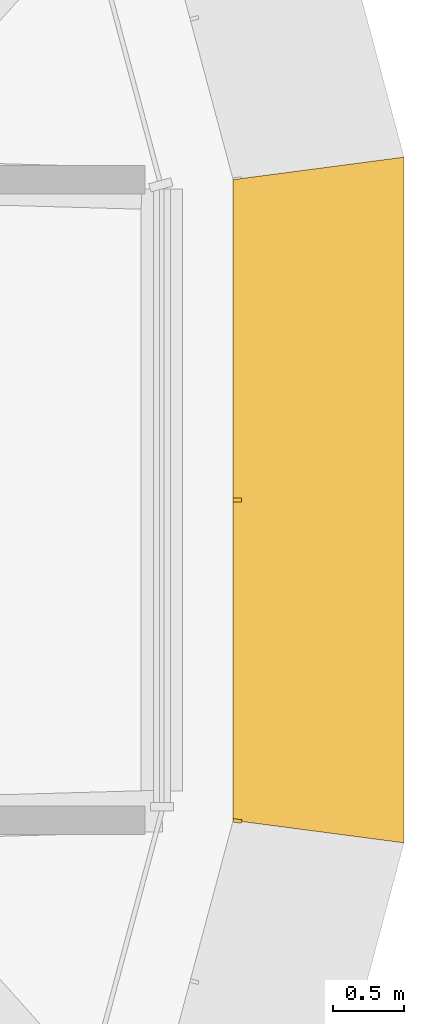
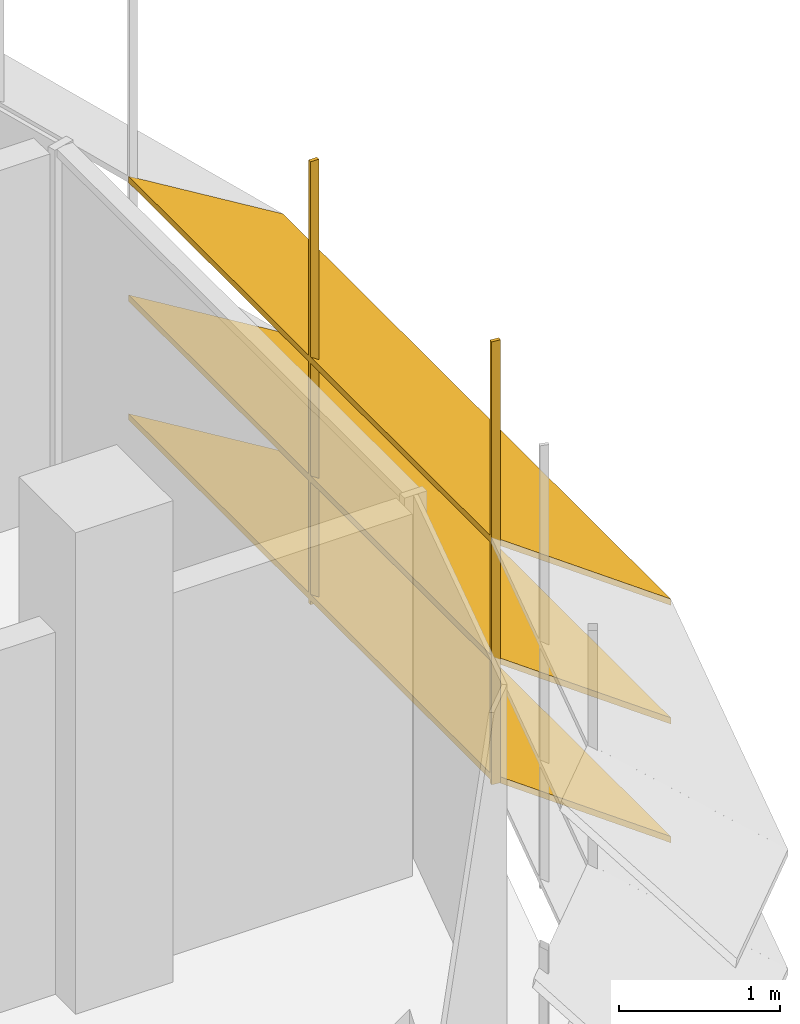
# One storey, part 19 of 19: 1 shading device.
"""IFC4 building model written with IfcOpenShell, lengths in metres."""

from ifc_helpers import new_model, si_unit, direction, frame, origin, place, context, subcontext, project, spatial, polyline, outline, extrude, faceted_brep, source, transform, mapped, material, type_object, element, save


model = new_model("IFC4")

# Units and contexts
model_context = context("Model", 3, precision=1e-05, world=origin(), true_north=direction((0.0, 1.0)))
body_context = subcontext(model_context, "Body", "Model", "MODEL_VIEW")
ifc_project = project(units=[si_unit("LENGTHUNIT", "METRE"), si_unit("AREAUNIT", "SQUARE_METRE"), si_unit("VOLUMEUNIT", "CUBIC_METRE"), si_unit("PLANEANGLEUNIT", "RADIAN"), si_unit("MASSUNIT", "GRAM", prefix="KILO")], contexts=[model_context])

# Site, building, storey
site_placement = place(None, origin())
site = spatial("IfcSite", under=ifc_project, at=site_placement, CompositionType="ELEMENT")
building_placement = place(site_placement, origin())
building = spatial("IfcBuilding", under=site, at=building_placement, Name="Zarbagh Exchange Tower", CompositionType="ELEMENT")
storey_placement = place(building_placement, frame((0.0, 0.0, 233.39990234375)))
storey = spatial("IfcBuildingStorey", under=building, at=storey_placement, Name="L57", CompositionType="ELEMENT", Elevation=233.39990234375)

# Shading device
ifc_material = material(Name="Anodised aluminium blades and brackets", Category="aluminium")
shading_device_type = type_object("IfcShadingDeviceType", Name="SUNSHADE louvre band, 33.75 degree blades", PredefinedType="JALOUSIE", material=ifc_material)
shared_shape_1 = source(origin(), body_context, "Body", "Brep", [
    faceted_brep([(0.0, 0.0, 0.0), (0.0, 0.0, -0.048095703125), (-0.157958984375, -1.199951171875, -0.849853515625), (-0.157958984375, -1.199951171875, -0.8017578125), (4.657958984375, -1.199951171875, -0.8017578125), (4.657958984375, -1.199951171875, -0.849853515625), (4.5, 0.0, -0.048095703125), (4.5, 0.0, 0.0)], [[[0, 1, 2, 3]], [[4, 5, 6, 7]], [[0, 7, 6, 1]], [[1, 6, 5, 2]], [[2, 5, 4, 3]], [[3, 4, 7, 0]]]),
])
shared_shape_2 = source(origin(), body_context, "Body", "SweptSolid", [
    extrude(outline(polyline([(0.0, -0.012451171875), (0.06005859375, -0.012451171875), (0.06005859375, 0.012451171875), (0.0, 0.012451171875), (0.0, -0.012451171875)])), origin(), (0.0, 0.0, 1.0), 3.358154296875),
])
shading_device_placement = place(storey_placement, origin())
element("IfcShadingDevice", 1, at=shading_device_placement, inside=storey, type_object=shading_device_type, Name="SS32 sunshade band", PredefinedType="JALOUSIE", context=body_context, shape_type="MappedRepresentation", body=[
    mapped(shared_shape_1, transform((31.5, -2.25, 2.300048828125), x_axis=(0.0, 1.0, 0.0), y_axis=(-1.0, 0.0, 0.0), z_axis=(0.0, 0.0, 1.0))),
    mapped(shared_shape_1, transform((31.5, -2.25, 1.400146484375), x_axis=(0.0, 1.0, 0.0), y_axis=(-1.0, 0.0, 0.0), z_axis=(0.0, 0.0, 1.0))),
    mapped(shared_shape_1, transform((31.5, -2.25, 0.5), x_axis=(0.0, 1.0, 0.0), y_axis=(-1.0, 0.0, 0.0), z_axis=(0.0, 0.0, 1.0))),
    mapped(shared_shape_2, transform((31.5, -2.25, 0.421875), x_axis=(0.991444457092, -0.130529263012, 0.0), y_axis=(0.130529263012, 0.991444457092, 0.0), z_axis=(0.0, 0.0, 1.0))),
    mapped(shared_shape_2, transform((31.5, 0.0, 0.421875), x_axis=(1.0, 0.0, 0.0), y_axis=(0.0, 1.0, 0.0), z_axis=(0.0, 0.0, 1.0))),
])

save(model, "model.ifc")
